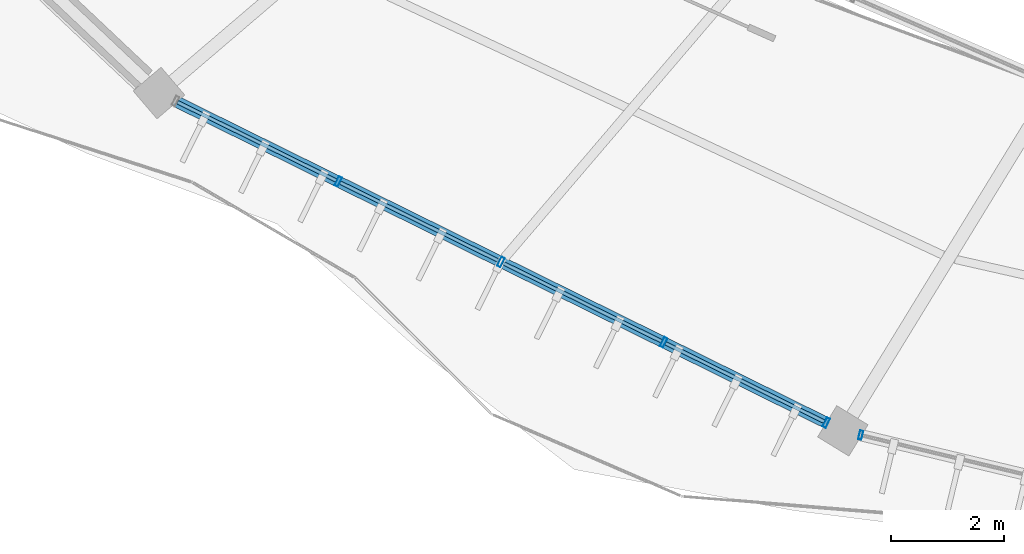
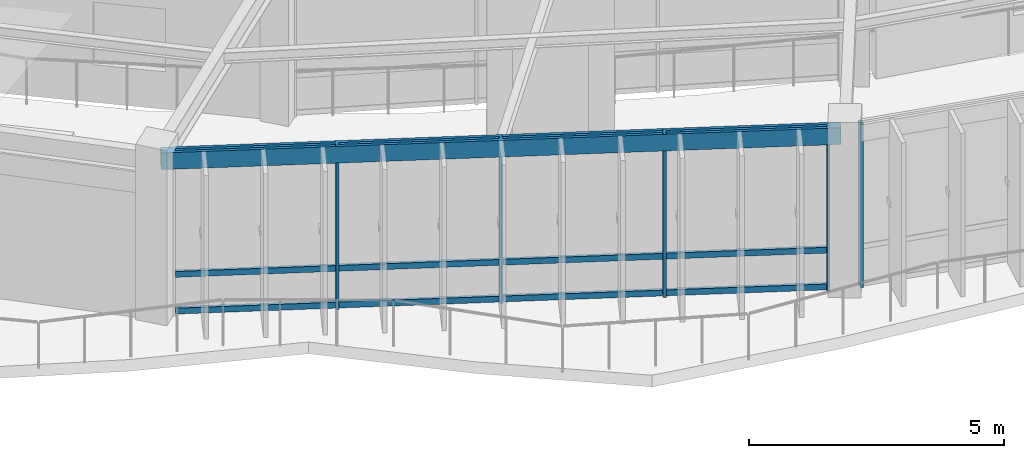
# One storey, part 30 of 114: 17 members, 1 beam, 2 elements without a shape of their own.
"""IFC4 building model written with IfcOpenShell, lengths in metres."""

from ifc_helpers import new_model, si_unit, direction, frame, origin, origin_2d, place, context, subcontext, project, spatial, hollow_rectangle, extrude, material, material_profile, profile_set, type_object, element, aggregate, save


model = new_model("IFC4")

# Units and contexts
model_context = context("Model", 3, precision=1e-05, world=origin(), true_north=direction((0.0, 1.0)))
body_context = subcontext(model_context, "Body", "Model", "MODEL_VIEW")
ifc_project = project(units=[si_unit("LENGTHUNIT", "METRE"), si_unit("AREAUNIT", "SQUARE_METRE"), si_unit("VOLUMEUNIT", "CUBIC_METRE"), si_unit("PLANEANGLEUNIT", "RADIAN"), si_unit("MASSUNIT", "GRAM", prefix="KILO"), si_unit("THERMODYNAMICTEMPERATUREUNIT", "KELVIN"), si_unit("POWERUNIT", "WATT")], contexts=[model_context])

# Site, building, storey
site_placement = place(None, origin())
site = spatial("IfcSite", under=ifc_project, at=site_placement, CompositionType="ELEMENT")
building_placement = place(site_placement, origin())
building = spatial("IfcBuilding", under=site, at=building_placement, Name="Darbajah Civic Hall", CompositionType="ELEMENT")
storey_placement = place(building_placement, frame((0.0, 0.0, 13.800048828125)))
storey = spatial("IfcBuildingStorey", under=building, at=storey_placement, Name="L03", CompositionType="ELEMENT", Elevation=13.800048828125)

# Curtain wall, member
ifc_material_1 = material(Name="Anodised Bronze Aluminium and Low-E Glazing", Category="aluminium")
curtain_wall_type_1 = type_object("IfcCurtainWallType", Name="Unitised Curtain Wall CW-48 14500x3900", PredefinedType="USERDEFINED", material=ifc_material_1)
curtain_wall_1_placement = place(storey_placement, origin())
curtain_wall_1 = element("IfcCurtainWall", 1, at=curtain_wall_1_placement, inside=storey, type_object=curtain_wall_type_1, Name="L03 unitised curtain wall CW-V1O-L03-13", ObjectType="UNITISED CURTAIN WALL", PredefinedType="USERDEFINED")
ifc_material_2 = material(Name="Anodised Bronze Aluminium", Category="aluminium")
ifc_material_profile_1 = material_profile(ifc_material_2, hollow_rectangle(XDim=0.06005859375, YDim=0.159912109375, WallThickness=0.00341796875, at=origin_2d()), Name="ALU MULLION 60x160")
ifc_profile_set_1 = profile_set([ifc_material_profile_1], Name="Anodised Bronze Aluminium")
member_type_1 = type_object("IfcMemberType", Name="ALU MULLION 60x160", PredefinedType="MULLION", material=ifc_profile_set_1)
member_1_placement = place(storey_placement, frame((62.7705078125, 64.57080078125, 0.0), z_axis=(0.0, 0.0, 1.0), x_axis=(0.972492018808, -0.232936200179, 0.0)))
member_1 = element("IfcMember", 2, at=member_1_placement, type_object=member_type_1, Name="CW-V1O-L03-13 mullion 1", PredefinedType="MULLION", context=body_context, shape_type="SweptSolid", body=[
    extrude(hollow_rectangle(XDim=0.06005859375, YDim=0.159912109375, WallThickness=0.00341796875, at=origin_2d()), origin(), (0.0, 0.0, 1.0), 3.919921875),
])
aggregate(curtain_wall_1, [member_1])

# Curtain wall, members
curtain_wall_type_2 = type_object("IfcCurtainWallType", Name="Unitised Curtain Wall CW-60 12900x3900", PredefinedType="USERDEFINED", material=ifc_material_1)
curtain_wall_2_placement = place(storey_placement, origin())
curtain_wall_2 = element("IfcCurtainWall", 3, at=curtain_wall_2_placement, inside=storey, type_object=curtain_wall_type_2, Name="L03 unitised curtain wall CW-V1O-L03-12", ObjectType="UNITISED CURTAIN WALL", PredefinedType="USERDEFINED")
ifc_material_profile_2 = material_profile(ifc_material_2, hollow_rectangle(XDim=0.06494140625, YDim=0.179931640625, WallThickness=0.00390625, at=origin_2d()), Name="ALU MULLION 65x180")
ifc_profile_set_2 = profile_set([ifc_material_profile_2], Name="Anodised Bronze Aluminium")
member_type_2 = type_object("IfcMemberType", Name="ALU MULLION 65x180", PredefinedType="MULLION", material=ifc_profile_set_2)
member_2_placement = place(storey_placement, frame((53.499267578125, 69.0703125, 0.0), z_axis=(0.0, 0.0, 1.0), x_axis=(0.89656374724, -0.442914717678, 0.0)))
member_2 = element("IfcMember", 4, at=member_2_placement, type_object=member_type_2, Name="CW-V1O-L03-12 mullion 2", PredefinedType="MULLION", context=body_context, shape_type="SweptSolid", body=[
    extrude(hollow_rectangle(XDim=0.06494140625, YDim=0.179931640625, WallThickness=0.00390625, at=origin_2d()), origin(), (0.0, 0.0, 1.0), 3.919921875),
])
member_3_placement = place(storey_placement, frame((56.385986328125, 67.644287109375, 0.0), z_axis=(0.0, 0.0, 1.0), x_axis=(0.89656374724, -0.442914717678, 0.0)))
member_3 = element("IfcMember", 5, at=member_3_placement, type_object=member_type_2, Name="CW-V1O-L03-12 mullion 3", PredefinedType="MULLION", context=body_context, shape_type="SweptSolid", body=[
    extrude(hollow_rectangle(XDim=0.06494140625, YDim=0.179931640625, WallThickness=0.00390625, at=origin_2d()), origin(), (0.0, 0.0, 1.0), 3.919921875),
])
member_4_placement = place(storey_placement, frame((59.272705078125, 66.218017578125, 0.0), z_axis=(0.0, 0.0, 1.0), x_axis=(0.89656374724, -0.442914717678, 0.0)))
member_4 = element("IfcMember", 6, at=member_4_placement, type_object=member_type_2, Name="CW-V1O-L03-12 mullion 4", PredefinedType="MULLION", context=body_context, shape_type="SweptSolid", body=[
    extrude(hollow_rectangle(XDim=0.06494140625, YDim=0.179931640625, WallThickness=0.00390625, at=origin_2d()), origin(), (0.0, 0.0, 1.0), 3.919921875),
])
member_5_placement = place(storey_placement, frame((62.159423828125, 64.7919921875, 0.0), z_axis=(0.0, 0.0, 1.0), x_axis=(0.89656374724, -0.442914717678, 0.0)))
member_5 = element("IfcMember", 7, at=member_5_placement, type_object=member_type_2, Name="CW-V1O-L03-12 mullion 5", PredefinedType="MULLION", context=body_context, shape_type="SweptSolid", body=[
    extrude(hollow_rectangle(XDim=0.06494140625, YDim=0.179931640625, WallThickness=0.00390625, at=origin_2d()), origin(), (0.0, 0.0, 1.0), 3.919921875),
])
ifc_material_profile_3 = material_profile(ifc_material_2, hollow_rectangle(XDim=0.06494140625, YDim=0.139892578125, WallThickness=0.00341796875, at=origin_2d()), Name="ALU TRANSOM 65x140")
ifc_profile_set_3 = profile_set([ifc_material_profile_3], Name="Anodised Bronze Aluminium")
member_type_3 = type_object("IfcMemberType", Name="ALU TRANSOM 65x140", PredefinedType="USERDEFINED", material=ifc_profile_set_3)
member_6_placement = place(storey_placement, frame((50.64599609375, 70.47998046875, 0.070068359375), z_axis=(0.896544124942, -0.442954435615, 0.0), x_axis=(0.442954435615, 0.896544124942, 0.0)))
member_6 = element("IfcMember", 8, at=member_6_placement, type_object=member_type_3, Name="CW-V1O-L03-12 transom 1.1", ObjectType="TRANSOM", PredefinedType="USERDEFINED", context=body_context, shape_type="SweptSolid", body=[
    extrude(hollow_rectangle(XDim=0.06494140625, YDim=0.139892578125, WallThickness=0.00341796875, at=origin_2d()), origin(), (0.0, 0.0, 1.0), 3.14501953125),
])
member_7_placement = place(storey_placement, frame((50.64599609375, 70.47998046875, 0.949951171875), z_axis=(0.896544124942, -0.442954435615, 0.0), x_axis=(0.442954435615, 0.896544124942, 0.0)))
member_7 = element("IfcMember", 9, at=member_7_placement, type_object=member_type_3, Name="CW-V1O-L03-12 transom 1.2", ObjectType="TRANSOM", PredefinedType="USERDEFINED", context=body_context, shape_type="SweptSolid", body=[
    extrude(hollow_rectangle(XDim=0.06494140625, YDim=0.139892578125, WallThickness=0.00341796875, at=origin_2d()), origin(), (0.0, 0.0, 1.0), 3.14501953125),
])
member_8_placement = place(storey_placement, frame((50.64599609375, 70.47998046875, 3.849853515625), z_axis=(0.896544124942, -0.442954435615, 0.0), x_axis=(0.442954435615, 0.896544124942, 0.0)))
member_8 = element("IfcMember", 10, at=member_8_placement, type_object=member_type_3, Name="CW-V1O-L03-12 transom 1.3", ObjectType="TRANSOM", PredefinedType="USERDEFINED", context=body_context, shape_type="SweptSolid", body=[
    extrude(hollow_rectangle(XDim=0.06494140625, YDim=0.139892578125, WallThickness=0.00341796875, at=origin_2d()), origin(), (0.0, 0.0, 1.0), 3.14501953125),
])
member_9_placement = place(storey_placement, frame((53.53271484375, 69.0537109375, 0.070068359375), z_axis=(0.89657495273, -0.442892034403, 0.0), x_axis=(0.442892034403, 0.89657495273, 0.0)))
member_9 = element("IfcMember", 11, at=member_9_placement, type_object=member_type_3, Name="CW-V1O-L03-12 transom 2.1", ObjectType="TRANSOM", PredefinedType="USERDEFINED", context=body_context, shape_type="SweptSolid", body=[
    extrude(hollow_rectangle(XDim=0.06494140625, YDim=0.139892578125, WallThickness=0.00341796875, at=origin_2d()), origin(), (0.0, 0.0, 1.0), 3.144775390625),
])
member_10_placement = place(storey_placement, frame((53.53271484375, 69.0537109375, 0.949951171875), z_axis=(0.89657495273, -0.442892034403, 0.0), x_axis=(0.442892034403, 0.89657495273, 0.0)))
member_10 = element("IfcMember", 12, at=member_10_placement, type_object=member_type_3, Name="CW-V1O-L03-12 transom 2.2", ObjectType="TRANSOM", PredefinedType="USERDEFINED", context=body_context, shape_type="SweptSolid", body=[
    extrude(hollow_rectangle(XDim=0.06494140625, YDim=0.139892578125, WallThickness=0.00341796875, at=origin_2d()), origin(), (0.0, 0.0, 1.0), 3.144775390625),
])
member_11_placement = place(storey_placement, frame((53.53271484375, 69.0537109375, 3.849853515625), z_axis=(0.89657495273, -0.442892034403, 0.0), x_axis=(0.442892034403, 0.89657495273, 0.0)))
member_11 = element("IfcMember", 13, at=member_11_placement, type_object=member_type_3, Name="CW-V1O-L03-12 transom 2.3", ObjectType="TRANSOM", PredefinedType="USERDEFINED", context=body_context, shape_type="SweptSolid", body=[
    extrude(hollow_rectangle(XDim=0.06494140625, YDim=0.139892578125, WallThickness=0.00341796875, at=origin_2d()), origin(), (0.0, 0.0, 1.0), 3.144775390625),
])
member_12_placement = place(storey_placement, frame((56.419677734375, 67.627685546875, 0.070068359375), z_axis=(0.896528891757, -0.442985266398, 0.0), x_axis=(0.442985266398, 0.896528891757, 0.0)))
member_12 = element("IfcMember", 14, at=member_12_placement, type_object=member_type_3, Name="CW-V1O-L03-12 transom 3.1", ObjectType="TRANSOM", PredefinedType="USERDEFINED", context=body_context, shape_type="SweptSolid", body=[
    extrude(hollow_rectangle(XDim=0.06494140625, YDim=0.139892578125, WallThickness=0.00341796875, at=origin_2d()), origin(), (0.0, 0.0, 1.0), 3.144775390625),
])
member_13_placement = place(storey_placement, frame((56.419677734375, 67.627685546875, 0.949951171875), z_axis=(0.896528891757, -0.442985266398, 0.0), x_axis=(0.442985266398, 0.896528891757, 0.0)))
member_13 = element("IfcMember", 15, at=member_13_placement, type_object=member_type_3, Name="CW-V1O-L03-12 transom 3.2", ObjectType="TRANSOM", PredefinedType="USERDEFINED", context=body_context, shape_type="SweptSolid", body=[
    extrude(hollow_rectangle(XDim=0.06494140625, YDim=0.139892578125, WallThickness=0.00341796875, at=origin_2d()), origin(), (0.0, 0.0, 1.0), 3.144775390625),
])
member_14_placement = place(storey_placement, frame((56.419677734375, 67.627685546875, 3.849853515625), z_axis=(0.896528891757, -0.442985266398, 0.0), x_axis=(0.442985266398, 0.896528891757, 0.0)))
member_14 = element("IfcMember", 16, at=member_14_placement, type_object=member_type_3, Name="CW-V1O-L03-12 transom 3.3", ObjectType="TRANSOM", PredefinedType="USERDEFINED", context=body_context, shape_type="SweptSolid", body=[
    extrude(hollow_rectangle(XDim=0.06494140625, YDim=0.139892578125, WallThickness=0.00341796875, at=origin_2d()), origin(), (0.0, 0.0, 1.0), 3.144775390625),
])
member_15_placement = place(storey_placement, frame((59.306396484375, 66.201416015625, 0.070068359375), z_axis=(0.896559723312, -0.442922862963, 0.0), x_axis=(0.442922862963, 0.896559723312, 0.0)))
member_15 = element("IfcMember", 17, at=member_15_placement, type_object=member_type_3, Name="CW-V1O-L03-12 transom 4.1", ObjectType="TRANSOM", PredefinedType="USERDEFINED", context=body_context, shape_type="SweptSolid", body=[
    extrude(hollow_rectangle(XDim=0.06494140625, YDim=0.139892578125, WallThickness=0.00341796875, at=origin_2d()), origin(), (0.0, 0.0, 1.0), 3.14453125),
])
member_16_placement = place(storey_placement, frame((59.306396484375, 66.201416015625, 0.949951171875), z_axis=(0.896559723312, -0.442922862963, 0.0), x_axis=(0.442922862963, 0.896559723312, 0.0)))
member_16 = element("IfcMember", 18, at=member_16_placement, type_object=member_type_3, Name="CW-V1O-L03-12 transom 4.2", ObjectType="TRANSOM", PredefinedType="USERDEFINED", context=body_context, shape_type="SweptSolid", body=[
    extrude(hollow_rectangle(XDim=0.06494140625, YDim=0.139892578125, WallThickness=0.00341796875, at=origin_2d()), origin(), (0.0, 0.0, 1.0), 3.14453125),
])
member_17_placement = place(storey_placement, frame((59.306396484375, 66.201416015625, 3.849853515625), z_axis=(0.896559723312, -0.442922862963, 0.0), x_axis=(0.442922862963, 0.896559723312, 0.0)))
member_17 = element("IfcMember", 19, at=member_17_placement, type_object=member_type_3, Name="CW-V1O-L03-12 transom 4.3", ObjectType="TRANSOM", PredefinedType="USERDEFINED", context=body_context, shape_type="SweptSolid", body=[
    extrude(hollow_rectangle(XDim=0.06494140625, YDim=0.139892578125, WallThickness=0.00341796875, at=origin_2d()), origin(), (0.0, 0.0, 1.0), 3.14453125),
])
aggregate(curtain_wall_2, [member_2, member_3, member_4, member_5, member_6, member_7, member_8, member_9, member_10, member_11, member_12, member_13, member_14, member_15, member_16, member_17])

# Beam
ifc_material_3 = material(Name="Steel S355JR", Category="steel")
ifc_material_profile_4 = material_profile(ifc_material_3, hollow_rectangle(XDim=0.199951171875, YDim=0.39990234375, WallThickness=0.013916015625, at=origin_2d()), Name="RHS 400x200x14")
ifc_profile_set_4 = profile_set([ifc_material_profile_4], Name="Steel S355JR")
beam_type = type_object("IfcBeamType", Name="RHS 400x200x14", PredefinedType="SPANDREL", material=ifc_profile_set_4)
beam_placement = place(storey_placement, frame((50.39111328125, 70.60595703125, 3.719970703125), z_axis=(0.896556568061, -0.442929249731, 0.0), x_axis=(0.442929249731, 0.896556568061, 0.0)))
element("IfcBeam", 20, at=beam_placement, inside=storey, type_object=beam_type, Name="L03 beam SP-RHS400", PredefinedType="SPANDREL", context=body_context, shape_type="SweptSolid", body=[
    extrude(hollow_rectangle(XDim=0.199951171875, YDim=0.39990234375, WallThickness=0.013916015625, at=origin_2d()), origin(), (0.0, 0.0, 1.0), 13.373046875),
])

save(model, "model.ifc")
